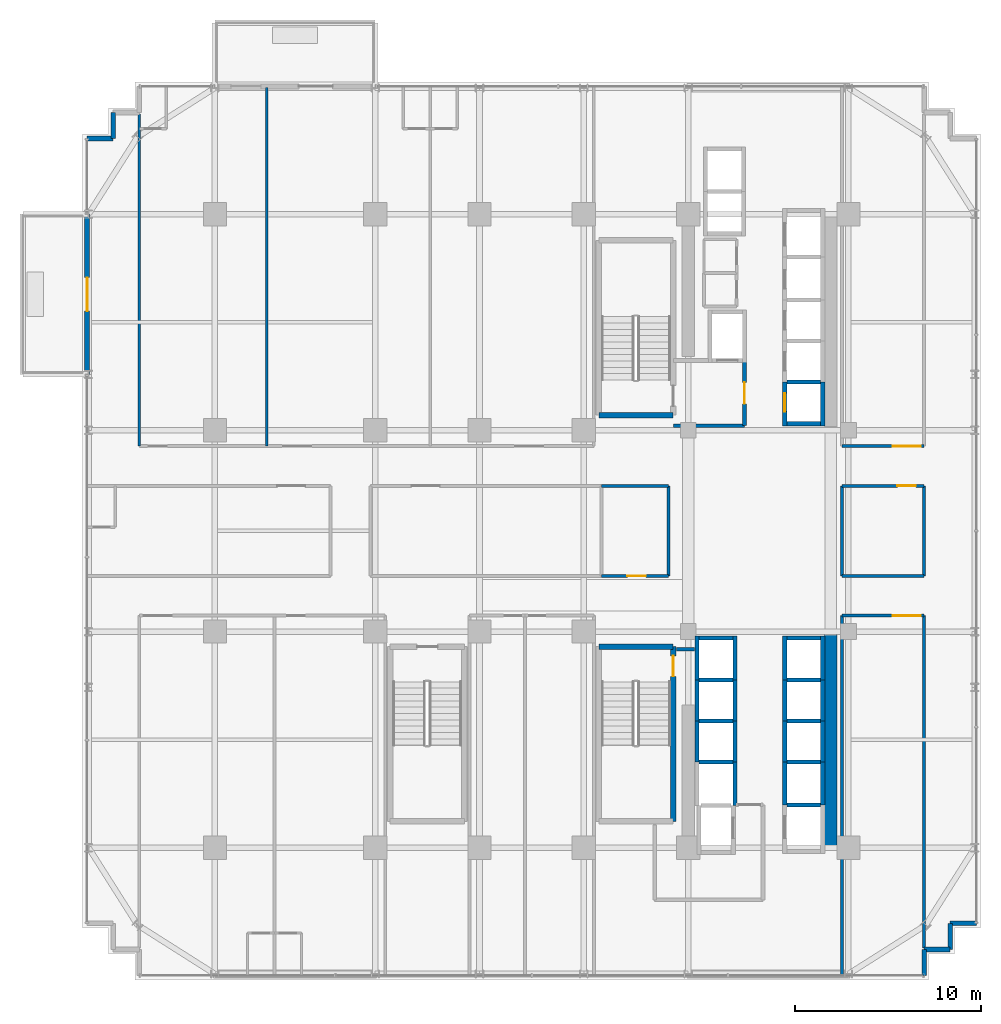
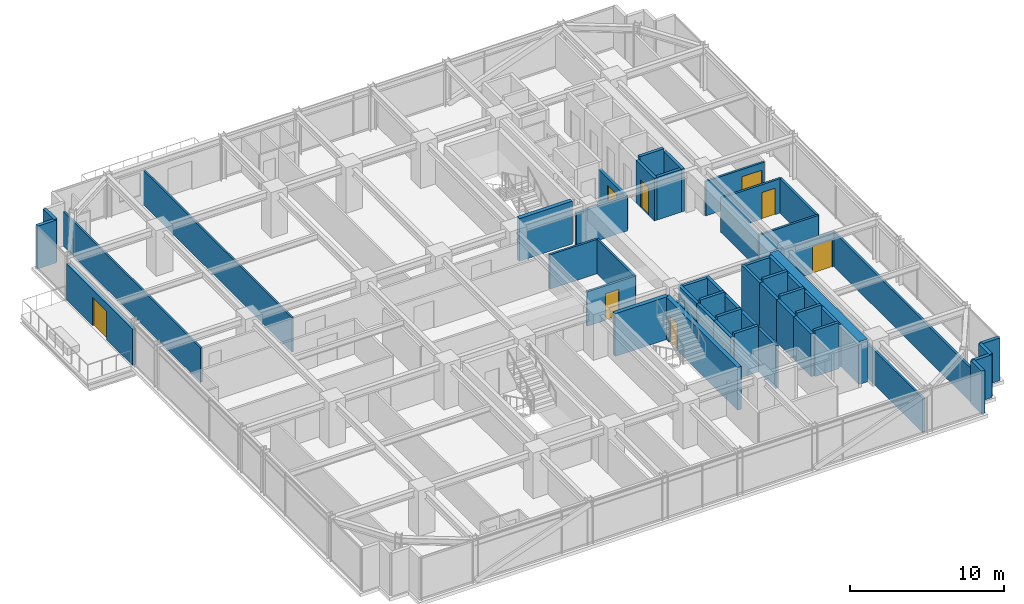
# One storey, part 29 of 35: 55 walls, 8 doors, 8 openings.
"""IFC4 building model written with IfcOpenShell, lengths in metres."""

from ifc_helpers import new_model, si_unit, direction, frame, frame_2d, origin, place, context, subcontext, project, spatial, rectangle, extrude, source, transform, mapped, material, layer, layer_set, type_object, element, fill, save


model = new_model("IFC4")

# Units and contexts
model_context = context("Model", 3, precision=1e-05, world=origin(), true_north=direction((0.0, 1.0)))
body_context = subcontext(model_context, "Body", "Model", "MODEL_VIEW")
ifc_project = project(units=[si_unit("LENGTHUNIT", "METRE"), si_unit("AREAUNIT", "SQUARE_METRE"), si_unit("VOLUMEUNIT", "CUBIC_METRE"), si_unit("PLANEANGLEUNIT", "RADIAN"), si_unit("MASSUNIT", "GRAM", prefix="KILO")], contexts=[model_context])

# Site, building, storey
site_placement = place(None, origin())
site = spatial("IfcSite", under=ifc_project, at=site_placement, CompositionType="ELEMENT")
building_placement = place(site_placement, origin())
building = spatial("IfcBuilding", under=site, at=building_placement, Name="Nahalor Promenade Grand Hotel", CompositionType="ELEMENT")
storey_placement = place(building_placement, frame((0.0, 0.0, 106.550048828125)))
storey = spatial("IfcBuildingStorey", under=building, at=storey_placement, Name="L26", CompositionType="ELEMENT", Elevation=106.550048828125)

# Walls
ifc_material_1 = material(Name="Concrete B-60 (C50/60)", Category="concrete")
ifc_layer_1 = layer(ifc_material_1, 0.64990234375)
ifc_layer_set_1 = layer_set([ifc_layer_1], Name="Concrete B-60 (C50/60)")
wall_type_1 = type_object("IfcWallType", Name="Wall-CoreShear-650", PredefinedType="SHEAR", material=ifc_layer_set_1)
shared_shape_1 = source(origin(), body_context, "Body", "SweptSolid", [
    extrude(rectangle(XDim=11.60009765625, YDim=0.64990234375, at=frame_2d((5.800048828125, 0.0))), origin(), (0.0, 0.0, 1.0), 3.3798828125),
])
wall_1_placement = place(storey_placement, frame((16.050048828125, -17.0, 0.0), z_axis=(0.0, 0.0, 1.0), x_axis=(0.0, 1.0, 0.0)))
element("IfcWall", 1, at=wall_1_placement, inside=storey, type_object=wall_type_1, Name="CWALL-L26-SE", PredefinedType="SHEAR", context=body_context, shape_type="MappedRepresentation", body=[
    mapped(shared_shape_1, transform((0.0, 0.0, 0.0), scale=1.0)),
])
ifc_material_2 = material(Name="Concrete B-50 (C40/50)", Category="concrete")
ifc_layer_2 = layer(ifc_material_2, 0.300048828125)
ifc_layer_set_2 = layer_set([ifc_layer_2], Name="Concrete B-50 (C40/50)")
wall_type_2 = type_object("IfcWallType", Name="Wall-ShaftShear-300", PredefinedType="SHEAR", material=ifc_layer_set_2)
shared_shape_2 = source(origin(), body_context, "Body", "SweptSolid", [
    extrude(rectangle(XDim=3.97998046875, YDim=0.300048828125, at=frame_2d((1.989990234375, 0.0))), origin(), (0.0, 0.0, 1.0), 3.3798828125),
])
for number, where, z_axis, x_axis, name in (
    (2, (3.610107421875, 6.2099609375, 0.0), (0.0, 0.0, 1.0), (1.0, 0.0, 0.0), "L26 Exit Stair ST1 Shaft Wall S"),
    (3, (3.610107421875, -6.2099609375, 0.0), (0.0, 0.0, 1.0), (1.0, 0.0, 0.0), "L26 Exit Stair ST2 Shaft Wall N"),
):
    element("IfcWall", number, at=place(storey_placement, frame(where, z_axis=z_axis, x_axis=x_axis)), inside=storey, type_object=wall_type_2, Name=name, PredefinedType="SHEAR", context=body_context, shape_type="MappedRepresentation", body=[
        mapped(shared_shape_2, transform((0.0, 0.0, 0.0), scale=1.0)),
    ])

# Wall, opening, door
shared_shape_3 = source(origin(), body_context, "Body", "SweptSolid", [
    extrude(rectangle(XDim=9.380126953125, YDim=0.300048828125, at=frame_2d((4.68994140625, 0.0))), origin(), (0.0, 0.0, 1.0), 3.3798828125),
])
wall_2_placement = place(storey_placement, frame((7.590087890625, -15.590087890625, 0.0), z_axis=(0.0, 0.0, 1.0), x_axis=(0.0, 1.0, 0.0)))
wall_2 = element("IfcWall", 4, at=wall_2_placement, inside=storey, type_object=wall_type_2, Name="L26 Exit Stair ST2 Shaft Wall E", PredefinedType="SHEAR", context=body_context, shape_type="MappedRepresentation", body=[
    mapped(shared_shape_3, transform((0.0, 0.0, 0.0), scale=1.0)),
])
opening_1_placement = place(wall_2_placement, frame((7.7900390625, 0.0, 0.0)))
opening_1 = element("IfcOpeningElement", 5, at=opening_1_placement, cuts=wall_2, Name="Opening D-ST1", PredefinedType="OPENING", context=body_context, shape_type="SweptSolid", body=[
    extrude(rectangle(XDim=1.10009765625, YDim=2.14990234375, at=frame_2d((0.550048828125, 1.074951171875))), frame((0.0, 0.159912109375, 0.0), z_axis=(0.0, -1.0, 0.0), x_axis=(1.0, 0.0, 0.0)), (0.0, 0.0, 1.0), 0.320068359375),
])
ifc_material_3 = material(Name="Steel S355JR", Category="steel")
door_type_1 = type_object("IfcDoorType", Name="Door-StairFire-1100", OperationType="NOTDEFINED", PredefinedType="DOOR", material=ifc_material_3)
shared_shape_4 = source(origin(), body_context, "Body", "SweptSolid", [
    extrude(rectangle(XDim=1.10009765625, YDim=2.14990234375, at=frame_2d((0.550048828125, 1.074951171875))), frame((0.0, 0.02490234375, 0.0), z_axis=(0.0, -1.0, 0.0), x_axis=(1.0, 0.0, 0.0)), (0.0, 0.0, 1.0), 0.050048828125),
])
door_1_placement = place(opening_1_placement, origin())
door_1 = element("IfcDoor", 6, at=door_1_placement, inside=storey, type_object=door_type_1, Name="DR-STAIR-ST2-L26", OperationType="SINGLE_SWING_LEFT", OverallHeight=2.14990234375, OverallWidth=1.10009765625, PredefinedType="DOOR", context=body_context, shape_type="MappedRepresentation", body=[
    mapped(shared_shape_4, transform((0.0, 0.0, 0.0), scale=1.0)),
])
fill(opening_1, door_1)

# Walls
ifc_layer_3 = layer(ifc_material_2, 0.219970703125)
ifc_layer_set_3 = layer_set([ifc_layer_3], Name="Concrete B-50 (C40/50)")
wall_type_3 = type_object("IfcWallType", Name="Wall-LiftShaft-220", PredefinedType="SHEAR", material=ifc_layer_set_3)
shared_shape_5 = source(origin(), body_context, "Body", "SweptSolid", [
    extrude(rectangle(XDim=1.820068359375, YDim=0.219970703125, at=frame_2d((0.91015625, 0.0))), origin(), (0.0, 0.0, 1.0), 3.64990234375),
])
for number, where, z_axis, x_axis, name in (
    (7, (13.68994140625, 8.0, 0.0), (0.0, 0.0, 1.0), (1.0, 0.0, 0.0), "L26 Lift PL1 Hoistway Wall N"),
    (8, (13.68994140625, -8.0, 0.0), (0.0, 0.0, 1.0), (1.0, 0.0, 0.0), "L26 Lift PL6 Hoistway Wall N"),
    (9, (13.68994140625, -10.199951171875, 0.0), (0.0, 0.0, 1.0), (1.0, 0.0, 0.0), "L26 Lift PL7 Hoistway Wall N"),
    (10, (13.68994140625, -12.39990234375, 0.0), (0.0, 0.0, 1.0), (1.0, 0.0, 0.0), "L26 Lift PL8 Hoistway Wall N"),
    (11, (8.989990234375, -8.0, 0.0), (0.0, 0.0, 1.0), (1.0, 0.0, 0.0), "L26 Lift PL10 Hoistway Wall N"),
    (12, (8.989990234375, -10.199951171875, 0.0), (0.0, 0.0, 1.0), (1.0, 0.0, 0.0), "L26 Lift PL11 Hoistway Wall N"),
    (13, (8.989990234375, -12.39990234375, 0.0), (0.0, 0.0, 1.0), (1.0, 0.0, 0.0), "L26 Lift PL12 Hoistway Wall N"),
    (14, (13.68994140625, -14.699951171875, 0.0), (0.0, 0.0, 1.0), (1.0, 0.0, 0.0), "L26 Lift SV2 Hoistway Wall N"),
):
    element("IfcWall", number, at=place(storey_placement, frame(where, z_axis=z_axis, x_axis=x_axis)), inside=storey, type_object=wall_type_3, Name=name, PredefinedType="SHEAR", context=body_context, shape_type="MappedRepresentation", body=[
        mapped(shared_shape_5, transform((0.0, 0.0, 0.0), scale=1.0)),
    ])

# Wall, opening, door
shared_shape_6 = source(origin(), body_context, "Body", "SweptSolid", [
    extrude(rectangle(XDim=2.360107421875, YDim=0.219970703125, at=frame_2d((1.18017578125, 0.0))), origin(), (0.0, 0.0, 1.0), 3.3798828125),
])
wall_3_placement = place(storey_placement, frame((13.580078125, 5.639892578125, 0.0), z_axis=(0.0, 0.0, 1.0), x_axis=(0.0, 1.0, 0.0)))
wall_3 = element("IfcWall", 15, at=wall_3_placement, inside=storey, type_object=wall_type_3, Name="L26 Lift PL1 Hoistway Wall W", PredefinedType="SHEAR", context=body_context, shape_type="MappedRepresentation", body=[
    mapped(shared_shape_6, transform((0.0, 0.0, 0.0), scale=1.0)),
])
opening_2_placement = place(wall_3_placement, frame((0.760009765625, 0.0, 0.0)))
opening_2 = element("IfcOpeningElement", 16, at=opening_2_placement, cuts=wall_3, Name="Opening LD-01", PredefinedType="OPENING", context=body_context, shape_type="SweptSolid", body=[
    extrude(rectangle(XDim=1.0, YDim=2.199951171875, at=frame_2d((0.5, 1.10009765625))), frame((0.0, 0.119873046875, 0.0), z_axis=(0.0, -1.0, 0.0), x_axis=(1.0, 0.0, 0.0)), (0.0, 0.0, 1.0), 0.239990234375),
])
door_type_2 = type_object("IfcDoorType", Name="Door-LiftLanding-1000", OperationType="DOUBLE_DOOR_SLIDING", PredefinedType="DOOR", material=ifc_material_3)
shared_shape_7 = source(origin(), body_context, "Body", "SweptSolid", [
    extrude(rectangle(XDim=1.0, YDim=2.199951171875, at=frame_2d((0.5, 1.10009765625))), frame((0.0, 0.02490234375, 0.0), z_axis=(0.0, -1.0, 0.0), x_axis=(1.0, 0.0, 0.0)), (0.0, 0.0, 1.0), 0.050048828125),
])
door_2_placement = place(opening_2_placement, origin())
door_2 = element("IfcDoor", 17, at=door_2_placement, inside=storey, type_object=door_type_2, Name="DR-LIFT-PL1-L26", OperationType="DOUBLE_DOOR_SLIDING", OverallHeight=2.199951171875, OverallWidth=1.0, PredefinedType="DOOR", context=body_context, shape_type="MappedRepresentation", body=[
    mapped(shared_shape_7, transform((0.0, 0.0, 0.0), scale=1.0)),
])
fill(opening_2, door_2)

# Walls
for number, where, z_axis, x_axis, name in (
    (18, (15.6201171875, 5.639892578125, 0.0), (0.0, 0.0, 1.0), (0.0, 1.0, 0.0), "L26 Lift PL1 Hoistway Wall E"),
    (19, (13.580078125, -8.0, 0.0), (0.0, 0.0, 1.0), (0.0, 1.0, 0.0), "L26 Lift PL5 Hoistway Wall W"),
    (20, (15.6201171875, -8.0, 0.0), (0.0, 0.0, 1.0), (0.0, 1.0, 0.0), "L26 Lift PL5 Hoistway Wall E"),
    (21, (8.8798828125, -8.0, 0.0), (0.0, 0.0, 1.0), (0.0, 1.0, 0.0), "L26 Lift PL9 Hoistway Wall W"),
    (22, (10.919921875, -8.0, 0.0), (0.0, 0.0, 1.0), (0.0, 1.0, 0.0), "L26 Lift PL9 Hoistway Wall E"),
):
    element("IfcWall", number, at=place(storey_placement, frame(where, z_axis=z_axis, x_axis=x_axis)), inside=storey, type_object=wall_type_3, Name=name, PredefinedType="SHEAR", context=body_context, shape_type="MappedRepresentation", body=[
        mapped(shared_shape_6, transform((0.0, 0.0, 0.0), scale=1.0)),
    ])
shared_shape_8 = source(origin(), body_context, "Body", "SweptSolid", [
    extrude(rectangle(XDim=1.820068359375, YDim=0.219970703125, at=frame_2d((0.91015625, 0.0))), origin(), (0.0, 0.0, 1.0), 3.3798828125),
])
for number, where, z_axis, x_axis, name in (
    (23, (13.68994140625, 5.75, 0.0), (0.0, 0.0, 1.0), (1.0, 0.0, 0.0), "L26 Lift PL1 Hoistway Wall S"),
    (24, (13.68994140625, -5.75, 0.0), (0.0, 0.0, 1.0), (1.0, 0.0, 0.0), "L26 Lift PL5 Hoistway Wall N"),
    (25, (8.989990234375, -5.75, 0.0), (0.0, 0.0, 1.0), (1.0, 0.0, 0.0), "L26 Lift PL9 Hoistway Wall N"),
):
    element("IfcWall", number, at=place(storey_placement, frame(where, z_axis=z_axis, x_axis=x_axis)), inside=storey, type_object=wall_type_3, Name=name, PredefinedType="SHEAR", context=body_context, shape_type="MappedRepresentation", body=[
        mapped(shared_shape_8, transform((0.0, 0.0, 0.0), scale=1.0)),
    ])
shared_shape_9 = source(origin(), body_context, "Body", "SweptSolid", [
    extrude(rectangle(XDim=2.199951171875, YDim=0.219970703125, at=frame_2d((1.10009765625, 0.0))), origin(), (0.0, 0.0, 1.0), 3.3798828125),
])
for number, where, z_axis, x_axis, name in (
    (26, (13.580078125, -10.199951171875, 0.0), (0.0, 0.0, 1.0), (0.0, 1.0, 0.0), "L26 Lift PL6 Hoistway Wall W"),
    (27, (15.6201171875, -10.199951171875, 0.0), (0.0, 0.0, 1.0), (0.0, 1.0, 0.0), "L26 Lift PL6 Hoistway Wall E"),
    (28, (13.580078125, -12.39990234375, 0.0), (0.0, 0.0, 1.0), (0.0, 1.0, 0.0), "L26 Lift PL7 Hoistway Wall W"),
    (29, (15.6201171875, -12.39990234375, 0.0), (0.0, 0.0, 1.0), (0.0, 1.0, 0.0), "L26 Lift PL7 Hoistway Wall E"),
    (30, (8.8798828125, -10.199951171875, 0.0), (0.0, 0.0, 1.0), (0.0, 1.0, 0.0), "L26 Lift PL10 Hoistway Wall W"),
    (31, (10.919921875, -10.199951171875, 0.0), (0.0, 0.0, 1.0), (0.0, 1.0, 0.0), "L26 Lift PL10 Hoistway Wall E"),
    (32, (8.8798828125, -12.39990234375, 0.0), (0.0, 0.0, 1.0), (0.0, 1.0, 0.0), "L26 Lift PL11 Hoistway Wall W"),
    (33, (10.919921875, -12.39990234375, 0.0), (0.0, 0.0, 1.0), (0.0, 1.0, 0.0), "L26 Lift PL11 Hoistway Wall E"),
):
    element("IfcWall", number, at=place(storey_placement, frame(where, z_axis=z_axis, x_axis=x_axis)), inside=storey, type_object=wall_type_3, Name=name, PredefinedType="SHEAR", context=body_context, shape_type="MappedRepresentation", body=[
        mapped(shared_shape_9, transform((0.0, 0.0, 0.0), scale=1.0)),
    ])
shared_shape_10 = source(origin(), body_context, "Body", "SweptSolid", [
    extrude(rectangle(XDim=2.300048828125, YDim=0.219970703125, at=frame_2d((1.14990234375, 0.0))), origin(), (0.0, 0.0, 1.0), 3.3798828125),
])
for number, where, z_axis, x_axis, name in (
    (34, (13.580078125, -14.699951171875, 0.0), (0.0, 0.0, 1.0), (0.0, 1.0, 0.0), "L26 Lift PL8 Hoistway Wall W"),
    (35, (15.6201171875, -14.699951171875, 0.0), (0.0, 0.0, 1.0), (0.0, 1.0, 0.0), "L26 Lift PL8 Hoistway Wall E"),
):
    element("IfcWall", number, at=place(storey_placement, frame(where, z_axis=z_axis, x_axis=x_axis)), inside=storey, type_object=wall_type_3, Name=name, PredefinedType="SHEAR", context=body_context, shape_type="MappedRepresentation", body=[
        mapped(shared_shape_10, transform((0.0, 0.0, 0.0), scale=1.0)),
    ])
shared_shape_11 = source(origin(), body_context, "Body", "SweptSolid", [
    extrude(rectangle(XDim=2.3251953125, YDim=0.219970703125, at=frame_2d((1.16259765625, 0.0))), origin(), (0.0, 0.0, 1.0), 3.3798828125),
])
wall_4_placement = place(storey_placement, frame((10.919921875, -14.72509765625, 0.0), z_axis=(0.0, 0.0, 1.0), x_axis=(0.0, 1.0, 0.0)))
element("IfcWall", 36, at=wall_4_placement, inside=storey, type_object=wall_type_3, Name="L26 Lift PL12 Hoistway Wall E", PredefinedType="SHEAR", context=body_context, shape_type="MappedRepresentation", body=[
    mapped(shared_shape_11, transform((0.0, 0.0, 0.0), scale=1.0)),
])
ifc_material_4 = material(Name="Concrete B-40 (C32/40)", Category="concrete")
ifc_layer_4 = layer(ifc_material_4, 0.25)
ifc_layer_set_4 = layer_set([ifc_layer_4], Name="Concrete B-40 (C32/40)")
wall_type_4 = type_object("IfcWallType", Name="Wall-BronzePier-250", PredefinedType="STANDARD", material=ifc_layer_set_4)
shared_shape_12 = source(origin(), body_context, "Body", "SweptSolid", [
    extrude(rectangle(XDim=1.400146484375, YDim=0.25, at=frame_2d((0.7001953125, 0.0))), origin(), (0.0, 0.0, 1.0), 3.3798828125),
])
for number, where, z_axis, x_axis, name in (
    (37, (21.06005859375, -23.860107421875, 0.0), (0.0, 0.0, 1.0), (0.0, 1.0, 0.0), "W-L26-SR-01"),
    (38, (22.4599609375, -21.06005859375, 0.0), (0.0, 0.0, 1.0), (1.0, 0.0, 0.0), "W-L26-SR-04"),
    (39, (-23.860107421875, 21.06005859375, 0.0), (0.0, 0.0, 1.0), (1.0, 0.0, 0.0), "W-L26-SR-12"),
):
    element("IfcWall", number, at=place(storey_placement, frame(where, z_axis=z_axis, x_axis=x_axis)), inside=storey, type_object=wall_type_4, Name=name, PredefinedType="STANDARD", context=body_context, shape_type="MappedRepresentation", body=[
        mapped(shared_shape_12, transform((0.0, 0.0, 0.0), scale=1.0)),
    ])
shared_shape_13 = source(origin(), body_context, "Body", "SweptSolid", [
    extrude(rectangle(XDim=1.39990234375, YDim=0.25, at=frame_2d((0.699951171875, 0.0))), origin(), (0.0, 0.0, 1.0), 3.3798828125),
])
for number, where, z_axis, x_axis, name in (
    (40, (21.06005859375, -22.4599609375, 0.0), (0.0, 0.0, 1.0), (1.0, 0.0, 0.0), "W-L26-SR-02"),
    (41, (22.4599609375, -22.4599609375, 0.0), (0.0, 0.0, 1.0), (0.0, 1.0, 0.0), "W-L26-SR-03"),
    (42, (-22.4599609375, 21.06005859375, 0.0), (0.0, 0.0, 1.0), (0.0, 1.0, 0.0), "W-L26-SR-11"),
):
    element("IfcWall", number, at=place(storey_placement, frame(where, z_axis=z_axis, x_axis=x_axis)), inside=storey, type_object=wall_type_4, Name=name, PredefinedType="STANDARD", context=body_context, shape_type="MappedRepresentation", body=[
        mapped(shared_shape_13, transform((0.0, 0.0, 0.0), scale=1.0)),
    ])

# Wall, opening, door
ifc_layer_5 = layer(ifc_material_4, 0.260009765625)
ifc_layer_set_5 = layer_set([ifc_layer_5], Name="Concrete B-40 (C32/40)")
wall_type_5 = type_object("IfcWallType", Name="Wall-BalconyWall-260", PredefinedType="STANDARD", material=ifc_layer_set_5)
shared_shape_14 = source(origin(), body_context, "Body", "SweptSolid", [
    extrude(rectangle(XDim=8.60009765625, YDim=0.260009765625, at=frame_2d((4.300048828125, 0.0))), origin(), (0.0, 0.0, 1.0), 2.85986328125),
])
wall_5_placement = place(storey_placement, frame((-23.860107421875, 8.39990234375, 0.0), z_axis=(0.0, 0.0, 1.0), x_axis=(0.0, 1.0, 0.0)))
wall_5 = element("IfcWall", 43, at=wall_5_placement, inside=storey, type_object=wall_type_5, Name="W-L26-BALC-W-2", PredefinedType="STANDARD", context=body_context, shape_type="MappedRepresentation", body=[
    mapped(shared_shape_14, transform((0.0, 0.0, 0.0), scale=1.0)),
])
opening_3_placement = place(wall_5_placement, frame((3.39990234375, 0.0, 0.0)))
opening_3 = element("IfcOpeningElement", 44, at=opening_3_placement, cuts=wall_5, Name="Opening D-BC1", PredefinedType="OPENING", context=body_context, shape_type="SweptSolid", body=[
    extrude(rectangle(XDim=1.800048828125, YDim=2.25, at=frame_2d((0.89990234375, 1.125))), frame((0.0, 0.139892578125, 0.0), z_axis=(0.0, -1.0, 0.0), x_axis=(1.0, 0.0, 0.0)), (0.0, 0.0, 1.0), 0.280029296875),
])
ifc_material_5 = material(Name="Anodised Bronze Aluminium EN AW-6063 T6", Category="aluminium")
door_type_3 = type_object("IfcDoorType", Name="Door-BalconySlide-1800", OperationType="DOUBLE_DOOR_SLIDING", PredefinedType="DOOR", material=ifc_material_5)
shared_shape_15 = source(origin(), body_context, "Body", "SweptSolid", [
    extrude(rectangle(XDim=1.800048828125, YDim=2.25, at=frame_2d((0.89990234375, 1.125))), frame((0.0, 0.02490234375, 0.0), z_axis=(0.0, -1.0, 0.0), x_axis=(1.0, 0.0, 0.0)), (0.0, 0.0, 1.0), 0.050048828125),
])
door_3_placement = place(opening_3_placement, origin())
door_3 = element("IfcDoor", 45, at=door_3_placement, inside=storey, type_object=door_type_3, Name="DR-L26-BALC-W-2", OperationType="DOUBLE_DOOR_SLIDING", OverallHeight=2.25, OverallWidth=1.800048828125, PredefinedType="DOOR", context=body_context, shape_type="MappedRepresentation", body=[
    mapped(shared_shape_15, transform((0.0, 0.0, 0.0), scale=1.0)),
])
fill(opening_3, door_3)

# Wall
ifc_layer_6 = layer(ifc_material_4, 0.199951171875)
ifc_layer_set_6 = layer_set([ifc_layer_6], Name="Concrete B-40 (C32/40)")
wall_type_6 = type_object("IfcWallType", Name="Wall-PartFire-200", PredefinedType="PARTITIONING", material=ifc_layer_set_6)
shared_shape_16 = source(origin(), body_context, "Body", "SweptSolid", [
    extrude(rectangle(XDim=3.81982421875, YDim=0.199951171875, at=frame_2d((1.909912109375, 0.0))), origin(), (0.0, 0.0, 1.0), 2.719970703125),
])
wall_6_placement = place(storey_placement, frame((7.60009765625, 5.64990234375, 0.0), z_axis=(0.0, 0.0, 1.0), x_axis=(1.0, 0.0, 0.0)))
element("IfcWall", 46, at=wall_6_placement, inside=storey, type_object=wall_type_6, Name="W-L26-FF1-S", PredefinedType="PARTITIONING", context=body_context, shape_type="MappedRepresentation", body=[
    mapped(shared_shape_16, transform((0.0, 0.0, 0.0), scale=1.0)),
])

# Wall, opening, door
shared_shape_17 = source(origin(), body_context, "Body", "SweptSolid", [
    extrude(rectangle(XDim=3.5, YDim=0.199951171875, at=frame_2d((1.75, 0.0))), origin(), (0.0, 0.0, 1.0), 2.719970703125),
])
wall_7_placement = place(storey_placement, frame((11.419921875, 5.64990234375, 0.0), z_axis=(0.0, 0.0, 1.0), x_axis=(0.0, 1.0, 0.0)))
wall_7 = element("IfcWall", 47, at=wall_7_placement, inside=storey, type_object=wall_type_6, Name="W-L26-FF1-E", PredefinedType="PARTITIONING", context=body_context, shape_type="MappedRepresentation", body=[
    mapped(shared_shape_17, transform((0.0, 0.0, 0.0), scale=1.0)),
])
opening_4_placement = place(wall_7_placement, frame((1.175048828125, 0.0, 0.0)))
opening_4 = element("IfcOpeningElement", 48, at=opening_4_placement, cuts=wall_7, Name="Opening D-FF1", PredefinedType="OPENING", context=body_context, shape_type="SweptSolid", body=[
    extrude(rectangle(XDim=1.14990234375, YDim=2.14990234375, at=frame_2d((0.574951171875, 1.074951171875))), frame((0.0, 0.10986328125, 0.0), z_axis=(0.0, -1.0, 0.0), x_axis=(1.0, 0.0, 0.0)), (0.0, 0.0, 1.0), 0.219970703125),
])
door_type_4 = type_object("IfcDoorType", Name="Door-FFLobby-1150", OperationType="NOTDEFINED", PredefinedType="DOOR", material=ifc_material_3)
shared_shape_18 = source(origin(), body_context, "Body", "SweptSolid", [
    extrude(rectangle(XDim=1.14990234375, YDim=2.14990234375, at=frame_2d((0.574951171875, 1.074951171875))), frame((0.0, 0.02490234375, 0.0), z_axis=(0.0, -1.0, 0.0), x_axis=(1.0, 0.0, 0.0)), (0.0, 0.0, 1.0), 0.050048828125),
])
door_4_placement = place(opening_4_placement, frame((1.14990234375, 0.0, 0.0), z_axis=(0.0, 0.0, 1.0), x_axis=(-1.0, 0.0, 0.0)))
door_4 = element("IfcDoor", 49, at=door_4_placement, inside=storey, type_object=door_type_4, Name="DR-L26-FFL1", OperationType="SINGLE_SWING_LEFT", OverallHeight=2.14990234375, OverallWidth=1.14990234375, PredefinedType="DOOR", context=body_context, shape_type="MappedRepresentation", body=[
    mapped(shared_shape_18, transform((0.0, 0.0, 0.0), scale=1.0)),
])
fill(opening_4, door_4)

# Wall
shared_shape_19 = source(origin(), body_context, "Body", "SweptSolid", [
    extrude(rectangle(XDim=0.969970703125, YDim=0.199951171875, at=frame_2d((0.48486328125, 0.0))), origin(), (0.0, 0.0, 1.0), 2.719970703125),
])
wall_8_placement = place(storey_placement, frame((7.77001953125, -6.35009765625, 0.0), z_axis=(0.0, 0.0, 1.0), x_axis=(1.0, 0.0, 0.0)))
element("IfcWall", 50, at=wall_8_placement, inside=storey, type_object=wall_type_6, Name="W-L26-FF2-N2", PredefinedType="PARTITIONING", context=body_context, shape_type="MappedRepresentation", body=[
    mapped(shared_shape_19, transform((0.0, 0.0, 0.0), scale=1.0)),
])

# Wall, opening, door
ifc_material_6 = material(Name="Acoustic Mineral Gypsum", Category="gypsum")
ifc_layer_7 = layer(ifc_material_6, 0.159912109375)
ifc_layer_set_7 = layer_set([ifc_layer_7], Name="Acoustic Mineral Gypsum")
wall_type_7 = type_object("IfcWallType", Name="Wall-PartCorridor-160", PredefinedType="PARTITIONING", material=ifc_layer_set_7)
shared_shape_20 = source(origin(), body_context, "Body", "SweptSolid", [
    extrude(rectangle(XDim=4.41015625, YDim=0.159912109375, at=frame_2d((2.205078125, 0.0))), origin(), (0.0, 0.0, 1.0), 2.719970703125),
])
wall_9_placement = place(storey_placement, frame((16.64990234375, 4.550048828125, 0.0), z_axis=(0.0, 0.0, 1.0), x_axis=(1.0, 0.0, 0.0)))
wall_9 = element("IfcWall", 51, at=wall_9_placement, inside=storey, type_object=wall_type_7, Name="W-L26-ENE-S", PredefinedType="PARTITIONING", context=body_context, shape_type="MappedRepresentation", body=[
    mapped(shared_shape_20, transform((0.0, 0.0, 0.0), scale=1.0)),
])
opening_5_placement = place(wall_9_placement, frame((2.721923828125, 0.0, 0.0)))
opening_5 = element("IfcOpeningElement", 52, at=opening_5_placement, cuts=wall_9, Name="Opening D-02", PredefinedType="OPENING", context=body_context, shape_type="SweptSolid", body=[
    extrude(rectangle(XDim=1.5, YDim=2.14990234375, at=frame_2d((0.75, 1.074951171875))), frame((0.0, 0.08984375, 0.0), z_axis=(0.0, -1.0, 0.0), x_axis=(1.0, 0.0, 0.0)), (0.0, 0.0, 1.0), 0.179931640625),
])
ifc_material_7 = material(Name="Fire-Rated Timber Composite", Category="wood")
door_type_5 = type_object("IfcDoorType", Name="Door-SuiteDouble-1500", OperationType="DOUBLE_DOOR_SINGLE_SWING", PredefinedType="DOOR", material=ifc_material_7)
shared_shape_21 = source(origin(), body_context, "Body", "SweptSolid", [
    extrude(rectangle(XDim=1.5, YDim=2.14990234375, at=frame_2d((0.75, 1.074951171875))), frame((0.0, 0.02490234375, 0.0), z_axis=(0.0, -1.0, 0.0), x_axis=(1.0, 0.0, 0.0)), (0.0, 0.0, 1.0), 0.050048828125),
])
door_5_placement = place(opening_5_placement, origin())
door_5 = element("IfcDoor", 53, at=door_5_placement, inside=storey, type_object=door_type_5, Name="DR-L26-ENE", OperationType="DOUBLE_DOOR_SINGLE_SWING", OverallHeight=2.14990234375, OverallWidth=1.5, PredefinedType="DOOR", context=body_context, shape_type="MappedRepresentation", body=[
    mapped(shared_shape_21, transform((0.0, 0.0, 0.0), scale=1.0)),
])
fill(opening_5, door_5)

wall_10_placement = place(storey_placement, frame((16.64990234375, -4.550048828125, 0.0), z_axis=(0.0, 0.0, 1.0), x_axis=(1.0, 0.0, 0.0)))
wall_10 = element("IfcWall", 54, at=wall_10_placement, inside=storey, type_object=wall_type_7, Name="W-L26-ESE-N", PredefinedType="PARTITIONING", context=body_context, shape_type="MappedRepresentation", body=[
    mapped(shared_shape_20, transform((0.0, 0.0, 0.0), scale=1.0)),
])
opening_6_placement = place(wall_10_placement, frame((2.721923828125, 0.0, 0.0)))
opening_6 = element("IfcOpeningElement", 55, at=opening_6_placement, cuts=wall_10, Name="Opening D-02", PredefinedType="OPENING", context=body_context, shape_type="SweptSolid", body=[
    extrude(rectangle(XDim=1.5, YDim=2.14990234375, at=frame_2d((0.75, 1.074951171875))), frame((0.0, 0.08984375, 0.0), z_axis=(0.0, -1.0, 0.0), x_axis=(1.0, 0.0, 0.0)), (0.0, 0.0, 1.0), 0.179931640625),
])
door_6_placement = place(opening_6_placement, frame((1.5, 0.0, 0.0), z_axis=(0.0, 0.0, 1.0), x_axis=(-1.0, 0.0, 0.0)))
door_6 = element("IfcDoor", 56, at=door_6_placement, inside=storey, type_object=door_type_5, Name="DR-L26-ESE", OperationType="DOUBLE_DOOR_SINGLE_SWING", OverallHeight=2.14990234375, OverallWidth=1.5, PredefinedType="DOOR", context=body_context, shape_type="MappedRepresentation", body=[
    mapped(shared_shape_21, transform((0.0, 0.0, 0.0), scale=1.0)),
])
fill(opening_6, door_6)

# Wall
wall_11_placement = place(storey_placement, frame((16.64990234375, -2.419921875, 0.0), z_axis=(0.0, 0.0, 1.0), x_axis=(1.0, 0.0, 0.0)))
element("IfcWall", 57, at=wall_11_placement, inside=storey, type_object=wall_type_7, Name="W-L26-ECW-S", PredefinedType="PARTITIONING", context=body_context, shape_type="MappedRepresentation", body=[
    mapped(shared_shape_20, transform((0.0, 0.0, 0.0), scale=1.0)),
])

# Wall, opening, door
wall_12_placement = place(storey_placement, frame((16.64990234375, 2.419921875, 0.0), z_axis=(0.0, 0.0, 1.0), x_axis=(1.0, 0.0, 0.0)))
wall_12 = element("IfcWall", 58, at=wall_12_placement, inside=storey, type_object=wall_type_7, Name="W-L26-ECW-N", PredefinedType="PARTITIONING", context=body_context, shape_type="MappedRepresentation", body=[
    mapped(shared_shape_20, transform((0.0, 0.0, 0.0), scale=1.0)),
])
opening_7_placement = place(wall_12_placement, frame((2.971923828125, 0.0, 0.0)))
opening_7 = element("IfcOpeningElement", 59, at=opening_7_placement, cuts=wall_12, Name="Opening D-04", PredefinedType="OPENING", context=body_context, shape_type="SweptSolid", body=[
    extrude(rectangle(XDim=1.0, YDim=2.10009765625, at=frame_2d((0.5, 1.050048828125))), frame((0.0, 0.08984375, 0.0), z_axis=(0.0, -1.0, 0.0), x_axis=(1.0, 0.0, 0.0)), (0.0, 0.0, 1.0), 0.179931640625),
])
door_type_6 = type_object("IfcDoorType", Name="Door-ServiceFire-1000", OperationType="NOTDEFINED", PredefinedType="DOOR", material=ifc_material_3)
shared_shape_22 = source(origin(), body_context, "Body", "SweptSolid", [
    extrude(rectangle(XDim=1.0, YDim=2.10009765625, at=frame_2d((0.5, 1.050048828125))), frame((0.0, 0.02490234375, 0.0), z_axis=(0.0, -1.0, 0.0), x_axis=(1.0, 0.0, 0.0)), (0.0, 0.0, 1.0), 0.050048828125),
])
door_7_placement = place(opening_7_placement, frame((1.0, 0.0, 0.0), z_axis=(0.0, 0.0, 1.0), x_axis=(-1.0, 0.0, 0.0)))
door_7 = element("IfcDoor", 60, at=door_7_placement, inside=storey, type_object=door_type_6, Name="DR-L26-ECW", OperationType="SINGLE_SWING_RIGHT", OverallHeight=2.10009765625, OverallWidth=1.0, PredefinedType="DOOR", context=body_context, shape_type="MappedRepresentation", body=[
    mapped(shared_shape_22, transform((0.0, 0.0, 0.0), scale=1.0)),
])
fill(opening_7, door_7)

# Walls
shared_shape_23 = source(origin(), body_context, "Body", "SweptSolid", [
    extrude(rectangle(XDim=19.25, YDim=0.159912109375, at=frame_2d((9.625, 0.0))), origin(), (0.0, 0.0, 1.0), 2.719970703125),
])
wall_13_placement = place(storey_placement, frame((16.64990234375, -23.800048828125, 0.0), z_axis=(0.0, 0.0, 1.0), x_axis=(0.0, 1.0, 0.0)))
element("IfcWall", 61, at=wall_13_placement, inside=storey, type_object=wall_type_7, Name="W-L26-ESE-W", PredefinedType="PARTITIONING", context=body_context, shape_type="MappedRepresentation", body=[
    mapped(shared_shape_23, transform((0.0, 0.0, 0.0), scale=1.0)),
])
shared_shape_24 = source(origin(), body_context, "Body", "SweptSolid", [
    extrude(rectangle(XDim=17.829833984375, YDim=0.159912109375, at=frame_2d((8.9150390625, 0.0))), origin(), (0.0, 0.0, 1.0), 2.719970703125),
])
wall_14_placement = place(storey_placement, frame((21.06005859375, -22.3798828125, 0.0), z_axis=(0.0, 0.0, 1.0), x_axis=(0.0, 1.0, 0.0)))
element("IfcWall", 62, at=wall_14_placement, inside=storey, type_object=wall_type_7, Name="W-L26-ESE-E", PredefinedType="PARTITIONING", context=body_context, shape_type="MappedRepresentation", body=[
    mapped(shared_shape_24, transform((0.0, 0.0, 0.0), scale=1.0)),
])
ifc_layer_8 = layer(ifc_material_6, 0.139892578125)
ifc_layer_set_8 = layer_set([ifc_layer_8], Name="Acoustic Mineral Gypsum")
wall_type_8 = type_object("IfcWallType", Name="Wall-PartSuite-140", PredefinedType="PARTITIONING", material=ifc_layer_set_8)
shared_shape_25 = source(origin(), body_context, "Body", "SweptSolid", [
    extrude(rectangle(XDim=17.829833984375, YDim=0.139892578125, at=frame_2d((8.9150390625, 0.0))), origin(), (0.0, 0.0, 1.0), 2.719970703125),
])
wall_15_placement = place(storey_placement, frame((-21.06005859375, 4.550048828125, 0.0), z_axis=(0.0, 0.0, 1.0), x_axis=(0.0, 1.0, 0.0)))
element("IfcWall", 63, at=wall_15_placement, inside=storey, type_object=wall_type_8, Name="W-L26-NW-ENDW", PredefinedType="PARTITIONING", context=body_context, shape_type="MappedRepresentation", body=[
    mapped(shared_shape_25, transform((0.0, 0.0, 0.0), scale=1.0)),
])
shared_shape_26 = source(origin(), body_context, "Body", "SweptSolid", [
    extrude(rectangle(XDim=19.25, YDim=0.139892578125, at=frame_2d((9.625, 0.0))), origin(), (0.0, 0.0, 1.0), 2.719970703125),
])
wall_16_placement = place(storey_placement, frame((-14.22802734375, 4.550048828125, 0.0), z_axis=(0.0, 0.0, 1.0), x_axis=(0.0, 1.0, 0.0)))
element("IfcWall", 64, at=wall_16_placement, inside=storey, type_object=wall_type_8, Name="W-L26-NP-1", PredefinedType="PARTITIONING", context=body_context, shape_type="MappedRepresentation", body=[
    mapped(shared_shape_26, transform((0.0, 0.0, 0.0), scale=1.0)),
])
shared_shape_27 = source(origin(), body_context, "Body", "SweptSolid", [
    extrude(rectangle(XDim=4.83984375, YDim=0.159912109375, at=frame_2d((2.419921875, 0.0))), origin(), (0.0, 0.0, 1.0), 2.719970703125),
])
for number, where, z_axis, x_axis, name in (
    (65, (7.35009765625, -2.419921875, 0.0), (0.0, 0.0, 1.0), (0.0, 1.0, 0.0), "W-L26-CM2-E"),
    (66, (16.64990234375, -2.419921875, 0.0), (0.0, 0.0, 1.0), (0.0, 1.0, 0.0), "W-L26-ECW-W"),
    (67, (21.06005859375, -2.419921875, 0.0), (0.0, 0.0, 1.0), (0.0, 1.0, 0.0), "W-L26-ECW-E"),
):
    element("IfcWall", number, at=place(storey_placement, frame(where, z_axis=z_axis, x_axis=x_axis)), inside=storey, type_object=wall_type_7, Name=name, PredefinedType="PARTITIONING", context=body_context, shape_type="MappedRepresentation", body=[
        mapped(shared_shape_27, transform((0.0, 0.0, 0.0), scale=1.0)),
    ])

# Wall, opening, door
shared_shape_28 = source(origin(), body_context, "Body", "SweptSolid", [
    extrude(rectangle(XDim=3.60009765625, YDim=0.159912109375, at=frame_2d((1.800048828125, 0.0))), origin(), (0.0, 0.0, 1.0), 2.719970703125),
])
wall_17_placement = place(storey_placement, frame((3.75, -2.419921875, 0.0), z_axis=(0.0, 0.0, 1.0), x_axis=(1.0, 0.0, 0.0)))
wall_17 = element("IfcWall", 68, at=wall_17_placement, inside=storey, type_object=wall_type_7, Name="W-L26-CM2-S", PredefinedType="PARTITIONING", context=body_context, shape_type="MappedRepresentation", body=[
    mapped(shared_shape_28, transform((0.0, 0.0, 0.0), scale=1.0)),
])
opening_8_placement = place(wall_17_placement, frame((1.3798828125, 0.0, 0.0)))
opening_8 = element("IfcOpeningElement", 69, at=opening_8_placement, cuts=wall_17, Name="Opening D-04", PredefinedType="OPENING", context=body_context, shape_type="SweptSolid", body=[
    extrude(rectangle(XDim=1.0, YDim=2.10009765625, at=frame_2d((0.5, 1.050048828125))), frame((0.0, 0.08984375, 0.0), z_axis=(0.0, -1.0, 0.0), x_axis=(1.0, 0.0, 0.0)), (0.0, 0.0, 1.0), 0.179931640625),
])
door_8_placement = place(opening_8_placement, origin())
door_8 = element("IfcDoor", 70, at=door_8_placement, inside=storey, type_object=door_type_6, Name="DR-L26-CM2", OperationType="SINGLE_SWING_LEFT", OverallHeight=2.10009765625, OverallWidth=1.0, PredefinedType="DOOR", context=body_context, shape_type="MappedRepresentation", body=[
    mapped(shared_shape_22, transform((0.0, 0.0, 0.0), scale=1.0)),
])
fill(opening_8, door_8)

# Wall
wall_18_placement = place(storey_placement, frame((3.75, 2.419921875, 0.0), z_axis=(0.0, 0.0, 1.0), x_axis=(1.0, 0.0, 0.0)))
element("IfcWall", 71, at=wall_18_placement, inside=storey, type_object=wall_type_7, Name="W-L26-CM2-N", PredefinedType="PARTITIONING", context=body_context, shape_type="MappedRepresentation", body=[
    mapped(shared_shape_28, transform((0.0, 0.0, 0.0), scale=1.0)),
])

save(model, "model.ifc")
